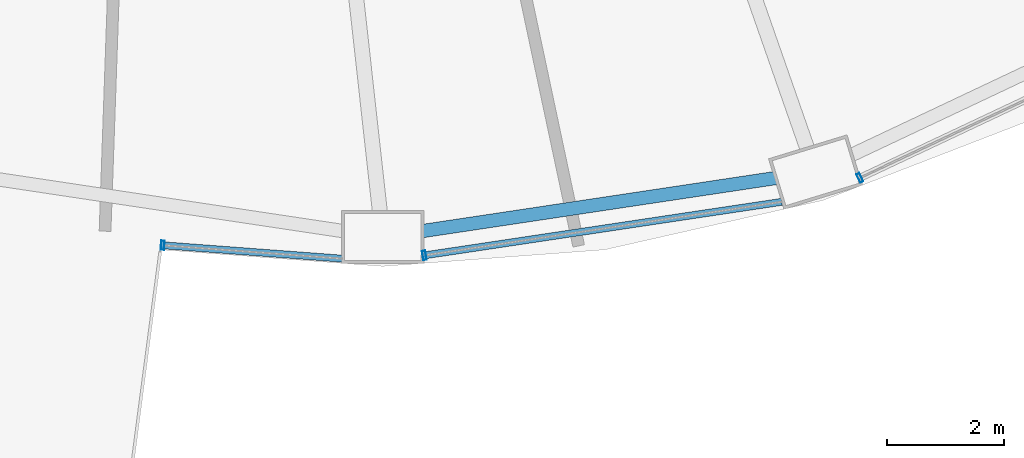
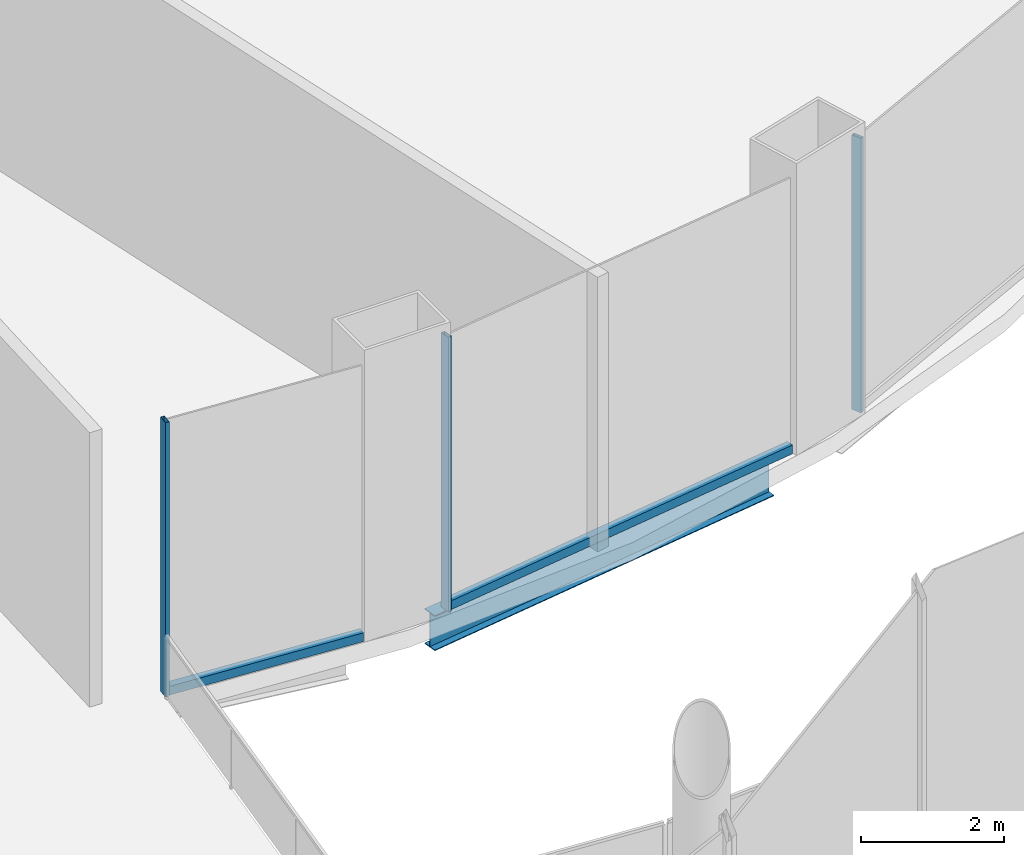
# One storey, part 9 of 47: 5 members, 1 beam, 3 elements without a shape of their own.
"""IFC4 building model written with IfcOpenShell, lengths in metres."""

from ifc_helpers import new_model, si_unit, direction, frame, origin, origin_2d, place, context, subcontext, project, spatial, hollow_rectangle, i_section, extrude, material, layer, layer_set, material_profile, profile_set, type_object, element, aggregate, save


model = new_model("IFC4")

# Units and contexts
model_context = context("Model", 3, precision=1e-05, world=origin(), true_north=direction((0.0, 1.0)))
body_context = subcontext(model_context, "Body", "Model", "MODEL_VIEW")
ifc_project = project(units=[si_unit("LENGTHUNIT", "METRE"), si_unit("AREAUNIT", "SQUARE_METRE"), si_unit("VOLUMEUNIT", "CUBIC_METRE"), si_unit("PLANEANGLEUNIT", "RADIAN"), si_unit("MASSUNIT", "GRAM", prefix="KILO")], contexts=[model_context])

# Site, building, storey
site_placement = place(None, origin())
site = spatial("IfcSite", under=ifc_project, at=site_placement, CompositionType="ELEMENT")
building_placement = place(site_placement, origin())
building = spatial("IfcBuilding", under=site, at=building_placement, Name="Nagisa Residences", CompositionType="ELEMENT")
storey_placement = place(building_placement, frame((0.0, 0.0, 7.0)))
storey = spatial("IfcBuildingStorey", under=building, at=storey_placement, Name="L01", CompositionType="ELEMENT", Elevation=7.0)

# Curtain wall, member
ifc_material_1 = material(Name="Stainless steel curtain wall system", Category="steel")
ifc_layer = layer(ifc_material_1, 0.159912109375)
ifc_layer_set = layer_set([ifc_layer], Name="CW6 CURTAIN WALL")
curtain_wall_type = type_object("IfcCurtainWallType", Name="CW6 CURTAIN WALL", PredefinedType="NOTDEFINED", material=ifc_layer_set)
curtain_wall_1_placement = place(storey_placement, origin())
curtain_wall_1 = element("IfcCurtainWall", 1, at=curtain_wall_1_placement, inside=storey, type_object=curtain_wall_type, Name="cw:CW6:L01:35", PredefinedType="NOTDEFINED")
ifc_material_2 = material(Name="Stainless steel", Category="steel")
ifc_material_profile_1 = material_profile(ifc_material_2, hollow_rectangle(XDim=0.159912109375, YDim=0.06005859375, WallThickness=0.006103515625, at=origin_2d()), Name="CW6 MULLION 160x60")
ifc_profile_set_1 = profile_set([ifc_material_profile_1], Name="Stainless steel")
member_type_1 = type_object("IfcMemberType", Name="CW6 MULLION 160x60", PredefinedType="MULLION", material=ifc_profile_set_1)
member_1_placement = place(storey_placement, frame((-0.1494140625, -32.64013671875, 0.0), z_axis=(0.0, 0.0, 1.0), x_axis=(0.074377355493, 0.997230168512, 0.0)))
member_1 = element("IfcMember", 2, at=member_1_placement, type_object=member_type_1, Name="CW6 mullion", PredefinedType="MULLION", context=body_context, shape_type="SweptSolid", body=[
    extrude(hollow_rectangle(XDim=0.159912109375, YDim=0.06005859375, WallThickness=0.006103515625, at=origin_2d()), origin(), (0.0, 0.0, 1.0), 4.699951171875),
])

curtain_wall_2_placement = place(storey_placement, origin())
curtain_wall_2 = element("IfcCurtainWall", 3, at=curtain_wall_2_placement, inside=storey, type_object=curtain_wall_type, Name="cw:CW6:L01:36", PredefinedType="NOTDEFINED")
member_2_placement = place(storey_placement, frame((4.31005859375, -32.812744140625, 0.0), z_axis=(0.0, 0.0, 1.0), x_axis=(-0.148158096894, 0.988963689083, 0.0)))
member_2 = element("IfcMember", 4, at=member_2_placement, type_object=member_type_1, Name="CW6 mullion", PredefinedType="MULLION", context=body_context, shape_type="SweptSolid", body=[
    extrude(hollow_rectangle(XDim=0.159912109375, YDim=0.06005859375, WallThickness=0.006103515625, at=origin_2d()), origin(), (0.0, 0.0, 1.0), 4.699951171875),
])

curtain_wall_3_placement = place(storey_placement, origin())
curtain_wall_3 = element("IfcCurtainWall", 5, at=curtain_wall_3_placement, inside=storey, type_object=curtain_wall_type, Name="cw:CW6:L01:38", PredefinedType="NOTDEFINED")
member_3_placement = place(storey_placement, frame((11.73193359375, -31.491943359375, 0.0), z_axis=(0.0, 0.0, 1.0), x_axis=(-0.426358467603, 0.904554286432, 0.0)))
member_3 = element("IfcMember", 6, at=member_3_placement, type_object=member_type_1, Name="CW6 mullion", PredefinedType="MULLION", context=body_context, shape_type="SweptSolid", body=[
    extrude(hollow_rectangle(XDim=0.159912109375, YDim=0.06005859375, WallThickness=0.006103515625, at=origin_2d()), origin(), (0.0, 0.0, 1.0), 4.699951171875),
])
aggregate(curtain_wall_3, [member_3])

# Member
ifc_material_3 = material(Name="Stainless steel", Category="steel")
ifc_material_profile_2 = material_profile(ifc_material_3, hollow_rectangle(XDim=0.1201171875, YDim=0.14990234375, WallThickness=0.008056640625, at=origin_2d()), Name="CW6 TRANSOM 120x150")
ifc_profile_set_2 = profile_set([ifc_material_profile_2], Name="Stainless steel")
member_type_2 = type_object("IfcMemberType", Name="CW6 TRANSOM 120x150", PredefinedType="USERDEFINED", material=ifc_profile_set_2)
member_4_placement = place(storey_placement, frame((-0.17919921875, -32.637939453125, 0.074951171875), z_axis=(0.997230834878, -0.074368420505, 0.0), x_axis=(0.074368420505, 0.997230834878, 0.0)))
member_4 = element("IfcMember", 7, at=member_4_placement, type_object=member_type_2, Name="CW6 transom", ObjectType="TRANSOM", PredefinedType="USERDEFINED", context=body_context, shape_type="SweptSolid", body=[
    extrude(hollow_rectangle(XDim=0.1201171875, YDim=0.14990234375, WallThickness=0.008056640625, at=origin_2d()), origin(), (0.0, 0.0, 1.0), 3.095703125),
])

aggregate(curtain_wall_1, [member_1, member_4])

member_5_placement = place(storey_placement, frame((4.280517578125, -32.817138671875, 0.074951171875), z_axis=(0.988964110959, 0.148155280822, 0.0), x_axis=(-0.148155280822, 0.988964110959, 0.0)))
member_5 = element("IfcMember", 8, at=member_5_placement, type_object=member_type_2, Name="CW6 transom", ObjectType="TRANSOM", PredefinedType="USERDEFINED", context=body_context, shape_type="SweptSolid", body=[
    extrude(hollow_rectangle(XDim=0.1201171875, YDim=0.14990234375, WallThickness=0.008056640625, at=origin_2d()), origin(), (0.0, 0.0, 1.0), 6.189453125),
])

aggregate(curtain_wall_2, [member_2, member_5])

# Beam
ifc_material_4 = material(Name="Steel ASTM A572 Gr 50", Category="steel")
ifc_material_profile_3 = material_profile(ifc_material_4, i_section(OverallWidth=0.22802734375, OverallDepth=0.60302734375, WebThickness=0.010498046875, FlangeThickness=0.014892578125, at=origin_2d()), Name="W610x101")
ifc_profile_set_3 = profile_set([ifc_material_profile_3], Name="Steel ASTM A572 Gr 50")
beam_type = type_object("IfcBeamType", Name="Perimeter ring beam W610x101", PredefinedType="BEAM", material=ifc_profile_set_3)
beam_placement = place(storey_placement, frame((4.2802734375, -32.39794921875, -0.6015625), z_axis=(0.988914559467, 0.14848566959, 0.0), x_axis=(-0.14848566959, 0.988914559467, 0.0)))
element("IfcBeam", 9, at=beam_placement, inside=storey, type_object=beam_type, Name="beam:L01:pb19", PredefinedType="BEAM", context=body_context, shape_type="SweptSolid", body=[
    extrude(i_section(OverallWidth=0.22802734375, OverallDepth=0.60302734375, WebThickness=0.010498046875, FlangeThickness=0.014892578125, at=origin_2d()), origin(), (0.0, 0.0, 1.0), 6.08349609375),
])

save(model, "model.ifc")
